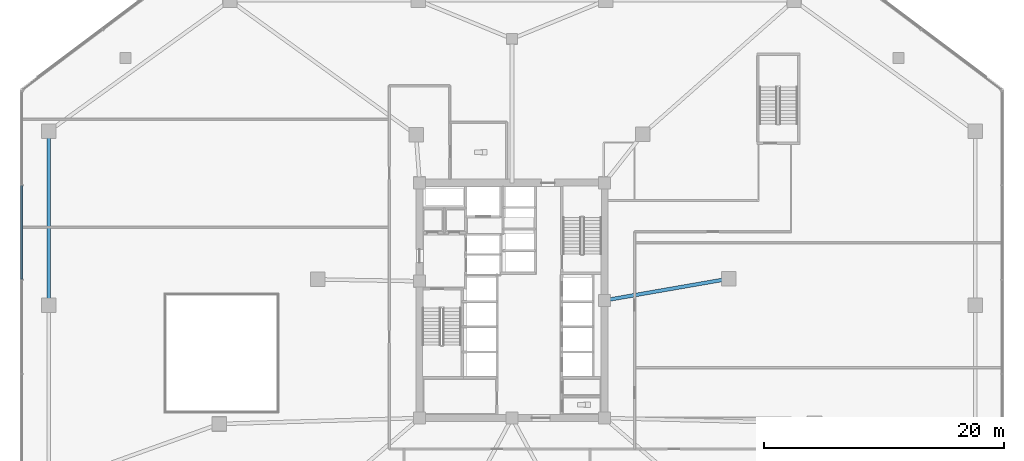
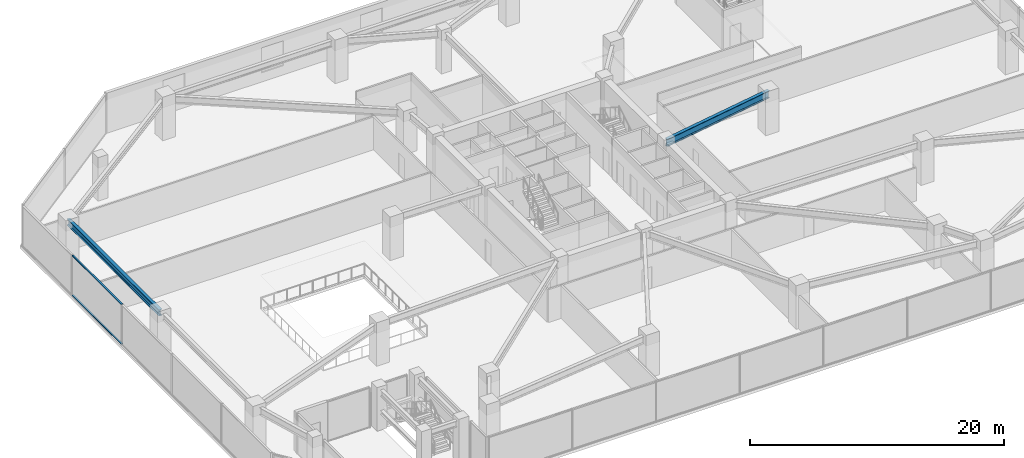
# One storey, part 5 of 22: 2 beams, 2 members, 1 element without a shape of its own.
"""IFC4 building model written with IfcOpenShell, lengths in metres."""

from ifc_helpers import new_model, si_unit, direction, frame, origin, origin_2d, place, context, subcontext, project, spatial, rectangle, i_section, extrude, material, material_profile, profile_set, type_object, element, aggregate, save


model = new_model("IFC4")

# Units and contexts
model_context = context("Model", 3, precision=1e-05, world=origin(), true_north=direction((0.0, 1.0)))
body_context = subcontext(model_context, "Body", "Model", "MODEL_VIEW")
ifc_project = project(units=[si_unit("LENGTHUNIT", "METRE"), si_unit("AREAUNIT", "SQUARE_METRE"), si_unit("VOLUMEUNIT", "CUBIC_METRE"), si_unit("PLANEANGLEUNIT", "RADIAN"), si_unit("MASSUNIT", "GRAM", prefix="KILO")], contexts=[model_context])

# Site, building, storey
site_placement = place(None, origin())
site = spatial("IfcSite", under=ifc_project, at=site_placement, CompositionType="ELEMENT")
building_placement = place(site_placement, origin())
building = spatial("IfcBuilding", under=site, at=building_placement, Name="Savorim Split Tower", CompositionType="ELEMENT")
storey_placement = place(building_placement, frame((0.0, 0.0, 17.60009765625)))
storey = spatial("IfcBuildingStorey", under=building, at=storey_placement, Name="L04", CompositionType="ELEMENT", Elevation=17.60009765625)

# Beams
ifc_material_1 = material(Name="Steel S355", Category="steel")
ifc_material_profile_1 = material_profile(ifc_material_1, i_section(OverallWidth=0.300048828125, OverallDepth=0.699951171875, WebThickness=0.01708984375, FlangeThickness=0.031982421875, FilletRadius=0.027099609375, at=origin_2d()), Name="HEB 700")
ifc_profile_set_1 = profile_set([ifc_material_profile_1], Name="Steel S355")
beam_type_1 = type_object("IfcBeamType", Name="BM-PRI-HEB700", PredefinedType="BEAM", material=ifc_profile_set_1)
beam_1_placement = place(storey_placement, frame((18.049560546875, 2.202392578125, 3.52978515625), z_axis=(-0.985170620197, -0.171577530876, 0.0), x_axis=(0.171577530876, -0.985170620197, 0.0)))
element("IfcBeam", 1, at=beam_1_placement, inside=storey, type_object=beam_type_1, Name="L04 Podium Primary Girder BG-27", PredefinedType="BEAM", context=body_context, shape_type="SweptSolid", body=[
    extrude(i_section(OverallWidth=0.300048828125, OverallDepth=0.699951171875, WebThickness=0.01708984375, FlangeThickness=0.031982421875, FilletRadius=0.027099609375, at=origin_2d()), origin(), (0.0, 0.0, 1.0), 10.50537109375),
])
ifc_material_profile_2 = material_profile(ifc_material_1, i_section(OverallWidth=0.300048828125, OverallDepth=0.590087890625, WebThickness=0.012939453125, FlangeThickness=0.02490234375, FilletRadius=0.027099609375, at=origin_2d()), Name="HEA 600")
ifc_profile_set_2 = profile_set([ifc_material_profile_2], Name="Steel S355")
beam_type_2 = type_object("IfcBeamType", Name="BM-SPN-HEA600", PredefinedType="SPANDREL", material=ifc_profile_set_2)
beam_2_placement = place(storey_placement, frame((-38.60009765625, 14.5, 3.5849609375), z_axis=(0.0, -1.0, 0.0), x_axis=(1.0, 0.0, 0.0)))
element("IfcBeam", 2, at=beam_2_placement, inside=storey, type_object=beam_type_2, Name="L04 Podium Spandrel Beam 10", PredefinedType="SPANDREL", context=body_context, shape_type="SweptSolid", body=[
    extrude(i_section(OverallWidth=0.300048828125, OverallDepth=0.590087890625, WebThickness=0.012939453125, FlangeThickness=0.02490234375, FilletRadius=0.027099609375, at=origin_2d()), origin(), (0.0, 0.0, 1.0), 14.5),
])

# Curtain wall, members
ifc_material_2 = material(Name="Dark Ceramic-Fritted Insulated Glass", Category="glass")
curtain_wall_type = type_object("IfcCurtainWallType", Name="CW-POD-GLZ", PredefinedType="NOTDEFINED", material=ifc_material_2)
curtain_wall_placement = place(storey_placement, origin())
curtain_wall = element("IfcCurtainWall", 3, at=curtain_wall_placement, inside=storey, type_object=curtain_wall_type, Name="L04 Curtain Wall CW-L04-E10", PredefinedType="NOTDEFINED")
ifc_material_3 = material(Name="Charcoal Anodised Aluminium", Category="aluminium")
ifc_material_profile_3 = material_profile(ifc_material_3, rectangle(XDim=0.159912109375, YDim=0.06005859375, at=origin_2d()), Name="ALU-T 160x60")
ifc_profile_set_3 = profile_set([ifc_material_profile_3], Name="Charcoal Anodised Aluminium")
member_type = type_object("IfcMemberType", Name="CWT-160x60", PredefinedType="USERDEFINED", material=ifc_profile_set_3)
member_1_placement = place(storey_placement, frame((-40.840087890625, 9.9609375, 0.02978515625), z_axis=(0.0, -1.0, 0.0), x_axis=(1.0, 0.0, 0.0)))
member_1 = element("IfcMember", 4, at=member_1_placement, type_object=member_type, Name="CW-01 transom 2.1", ObjectType="TRANSOM", PredefinedType="USERDEFINED", context=body_context, shape_type="SweptSolid", body=[
    extrude(rectangle(XDim=0.159912109375, YDim=0.06005859375, at=origin_2d()), origin(), (0.0, 0.0, 1.0), 7.7939453125),
])
member_2_placement = place(storey_placement, frame((-40.840087890625, 9.9609375, 3.849853515625), z_axis=(0.0, -1.0, 0.0), x_axis=(1.0, 0.0, 0.0)))
member_2 = element("IfcMember", 5, at=member_2_placement, type_object=member_type, Name="CW-01 transom 2.2", ObjectType="TRANSOM", PredefinedType="USERDEFINED", context=body_context, shape_type="SweptSolid", body=[
    extrude(rectangle(XDim=0.159912109375, YDim=0.06005859375, at=origin_2d()), origin(), (0.0, 0.0, 1.0), 7.7939453125),
])
aggregate(curtain_wall, [member_1, member_2])

save(model, "model.ifc")
